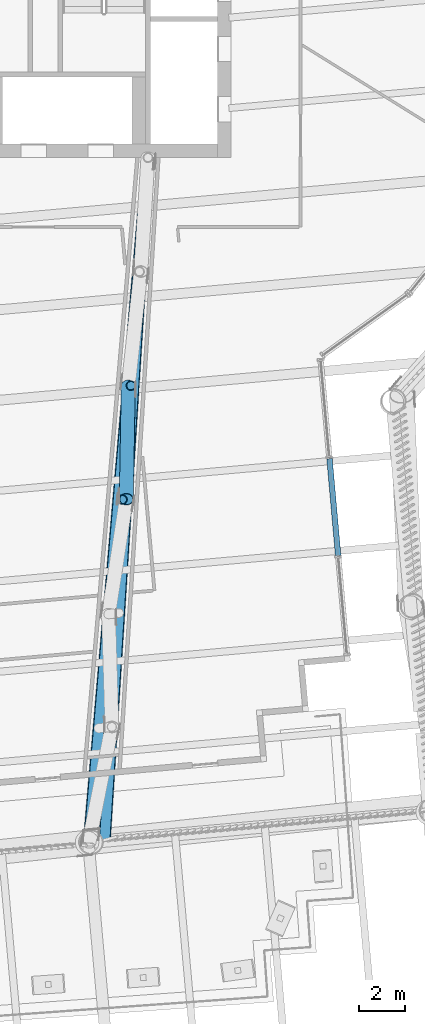
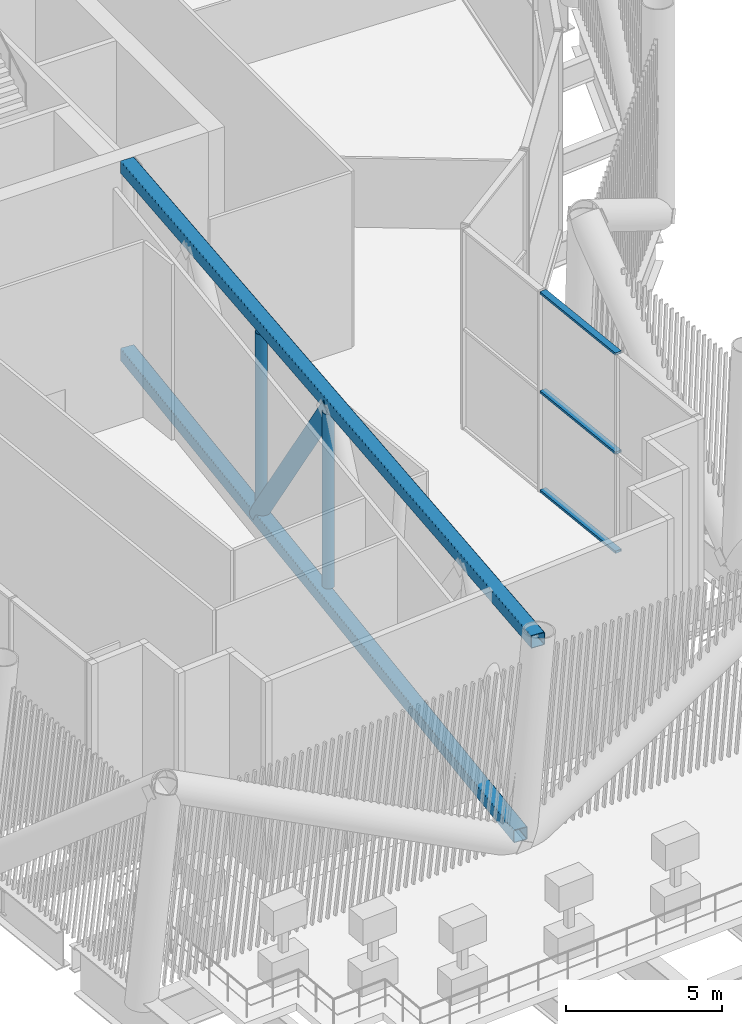
# One storey, part 9 of 55: 8 members, 1 element without a shape of its own.
"""IFC4 building model written with IfcOpenShell, lengths in metres."""

from ifc_helpers import new_model, si_unit, direction, frame, origin, origin_2d, place, context, subcontext, project, spatial, hollow_rectangle, hollow_circle, extrude, material, layer, layer_set, material_profile, profile_set, type_object, element, aggregate, save


model = new_model("IFC4")

# Units and contexts
model_context = context("Model", 3, precision=1e-05, world=origin(), true_north=direction((0.0, 1.0)))
body_context = subcontext(model_context, "Body", "Model", "MODEL_VIEW")
ifc_project = project(units=[si_unit("LENGTHUNIT", "METRE"), si_unit("AREAUNIT", "SQUARE_METRE"), si_unit("VOLUMEUNIT", "CUBIC_METRE"), si_unit("PLANEANGLEUNIT", "RADIAN"), si_unit("MASSUNIT", "GRAM", prefix="KILO")], contexts=[model_context])

# Site, building, storey
site_placement = place(None, origin())
site = spatial("IfcSite", under=ifc_project, at=site_placement, CompositionType="ELEMENT")
building_placement = place(site_placement, origin())
building = spatial("IfcBuilding", under=site, at=building_placement, Name="Tarsis Ring Headquarters", CompositionType="ELEMENT")
storey_placement = place(building_placement, frame((0.0, 0.0, 247.199951171875)))
storey = spatial("IfcBuildingStorey", under=building, at=storey_placement, Name="L58", CompositionType="ELEMENT", Elevation=247.199951171875)

# Curtain wall, members
ifc_material_1 = material(Name="Aluminium curtain wall", Category="aluminium")
ifc_layer = layer(ifc_material_1, 0.300048828125)
ifc_layer_set = layer_set([ifc_layer], Name="Curtain wall upper sky lobby")
curtain_wall_type = type_object("IfcCurtainWallType", Name="Curtain wall upper sky lobby", PredefinedType="NOTDEFINED", material=ifc_layer_set)
curtain_wall_placement = place(storey_placement, origin())
curtain_wall = element("IfcCurtainWall", 1, at=curtain_wall_placement, inside=storey, type_object=curtain_wall_type, Name="Curtain wall L58-16", PredefinedType="NOTDEFINED")
ifc_material_2 = material(Name="Aluminium transom", Category="aluminium")
ifc_material_profile_1 = material_profile(ifc_material_2, hollow_rectangle(XDim=0.239990234375, YDim=0.090087890625, WallThickness=0.0048828125, at=origin_2d()), Name="RHS 240x90x5")
ifc_profile_set_1 = profile_set([ifc_material_profile_1], Name="Aluminium transom")
member_type_1 = type_object("IfcMemberType", Name="Curtain wall transom upper sky lobby RHS 240x90x5", PredefinedType="USERDEFINED", material=ifc_profile_set_1)
member_1_placement = place(storey_placement, frame((14.630126953125, -30.219482421875, 0.045166015625), z_axis=(-0.08923908423, 0.996010233806, 0.0), x_axis=(-0.996010233806, -0.08923908423, 0.0)))
member_1 = element("IfcMember", 2, at=member_1_placement, type_object=member_type_1, Name="CW-U transom 2.1", ObjectType="TRANSOM", PredefinedType="USERDEFINED", context=body_context, shape_type="SweptSolid", body=[
    extrude(hollow_rectangle(XDim=0.239990234375, YDim=0.090087890625, WallThickness=0.0048828125, at=origin_2d()), origin(), (0.0, 0.0, 1.0), 4.21044921875),
])
member_2_placement = place(storey_placement, frame((14.630126953125, -30.219482421875, 3.920166015625), z_axis=(-0.08923908423, 0.996010233806, 0.0), x_axis=(-0.996010233806, -0.08923908423, 0.0)))
member_2 = element("IfcMember", 3, at=member_2_placement, type_object=member_type_1, Name="CW-U transom 2.2", ObjectType="TRANSOM", PredefinedType="USERDEFINED", context=body_context, shape_type="SweptSolid", body=[
    extrude(hollow_rectangle(XDim=0.239990234375, YDim=0.090087890625, WallThickness=0.0048828125, at=origin_2d()), origin(), (0.0, 0.0, 1.0), 4.21044921875),
])
member_3_placement = place(storey_placement, frame((14.630126953125, -30.219482421875, 7.795166015625), z_axis=(-0.08923908423, 0.996010233806, 0.0), x_axis=(-0.996010233806, -0.08923908423, 0.0)))
member_3 = element("IfcMember", 4, at=member_3_placement, type_object=member_type_1, Name="CW-U transom 2.3", ObjectType="TRANSOM", PredefinedType="USERDEFINED", context=body_context, shape_type="SweptSolid", body=[
    extrude(hollow_rectangle(XDim=0.239990234375, YDim=0.090087890625, WallThickness=0.0048828125, at=origin_2d()), origin(), (0.0, 0.0, 1.0), 4.21044921875),
])
aggregate(curtain_wall, [member_1, member_2, member_3])

# Members
ifc_material_3 = material(Name="Structural steel S355", Category="steel")
ifc_material_profile_2 = material_profile(ifc_material_3, hollow_rectangle(XDim=0.508056640625, YDim=0.508056640625, WallThickness=0.025390625, InnerFilletRadius=0.025390625, OuterFilletRadius=0.05078125, at=origin_2d()), Name="HSS 508x508x25")
ifc_profile_set_2 = profile_set([ifc_material_profile_2], Name="Structural steel S355")
member_type_2 = type_object("IfcMemberType", Name="OC Outrigger chord HSS 508x508x25", PredefinedType="CHORD", material=ifc_profile_set_2)
member_4_placement = place(storey_placement, frame((6.39990234375, -13.0, 0.254150390625), z_axis=(-0.085974894237, -0.996297303801, 0.0), x_axis=(0.996297303801, -0.085974894237, 0.0)))
element("IfcMember", 5, at=member_4_placement, inside=storey, type_object=member_type_2, Name="Outrigger chord OC1", PredefinedType="CHORD", context=body_context, shape_type="SweptSolid", body=[
    extrude(hollow_rectangle(XDim=0.508056640625, YDim=0.508056640625, WallThickness=0.025390625, InnerFilletRadius=0.025390625, OuterFilletRadius=0.05078125, at=origin_2d()), origin(), (0.0, 0.0, 1.0), 29.737060546875),
])
member_5_placement = place(storey_placement, frame((6.39990234375, -13.0, 7.5859375), z_axis=(-0.063319907054, -0.997993281225, 0.0), x_axis=(0.997993281225, -0.063319907054, 0.0)))
element("IfcMember", 6, at=member_5_placement, inside=storey, type_object=member_type_2, Name="Outrigger chord OC1", PredefinedType="CHORD", context=body_context, shape_type="SweptSolid", body=[
    extrude(hollow_rectangle(XDim=0.508056640625, YDim=0.508056640625, WallThickness=0.025390625, InnerFilletRadius=0.025390625, OuterFilletRadius=0.05078125, at=origin_2d()), origin(), (0.0, 0.0, 1.0), 29.619140625),
])
ifc_material_profile_3 = material_profile(ifc_material_3, hollow_circle(Radius=0.3046875, WallThickness=0.02490234375, at=origin_2d()), Name="CHS 610x25")
ifc_profile_set_3 = profile_set([ifc_material_profile_3], Name="Structural steel S355")
member_type_3 = type_object("IfcMemberType", Name="OD Outrigger diagonal CHS 610x25", PredefinedType="BRACE", material=ifc_profile_set_3)
member_6_placement = place(storey_placement, frame((5.547607421875, -22.875732421875, 0.254150390625), z_axis=(-0.009686742218, -0.555963650507, 0.83115015872), x_axis=(0.999848248208, -0.017420693293, 0.0)))
element("IfcMember", 7, at=member_6_placement, inside=storey, type_object=member_type_3, Name="Outrigger diagonal OD1", PredefinedType="BRACE", context=body_context, shape_type="SweptSolid", body=[
    extrude(hollow_circle(Radius=0.3046875, WallThickness=0.02490234375, at=origin_2d()), origin(), (0.0, 0.0, 1.0), 8.8212890625),
])
ifc_material_profile_4 = material_profile(ifc_material_3, hollow_circle(Radius=0.203125, WallThickness=0.01611328125, at=origin_2d()), Name="CHS 406x16")
ifc_profile_set_4 = profile_set([ifc_material_profile_4], Name="Structural steel S355")
member_type_4 = type_object("IfcMemberType", Name="OV Outrigger post CHS 406x16", PredefinedType="STRUT", material=ifc_profile_set_4)
for number, where, z_axis, x_axis, name in (
    (8, (5.661376953125, -22.864501953125, 0.508056640625), (0.0, 0.0, 1.0), (1.0, 0.0, 0.0), "Outrigger post OV1"),
    (9, (5.2919921875, -27.796630859375, 0.508056640625), (0.0, 0.0, 1.0), (1.0, 0.0, 0.0), "Outrigger post OV1"),
):
    element("IfcMember", number, at=place(storey_placement, frame(where, z_axis=z_axis, x_axis=x_axis)), inside=storey, type_object=member_type_4, Name=name, PredefinedType="STRUT", context=body_context, shape_type="SweptSolid", body=[
        extrude(hollow_circle(Radius=0.203125, WallThickness=0.01611328125, at=origin_2d()), origin(), (0.0, 0.0, 1.0), 6.823974609375),
    ])

save(model, "model.ifc")
